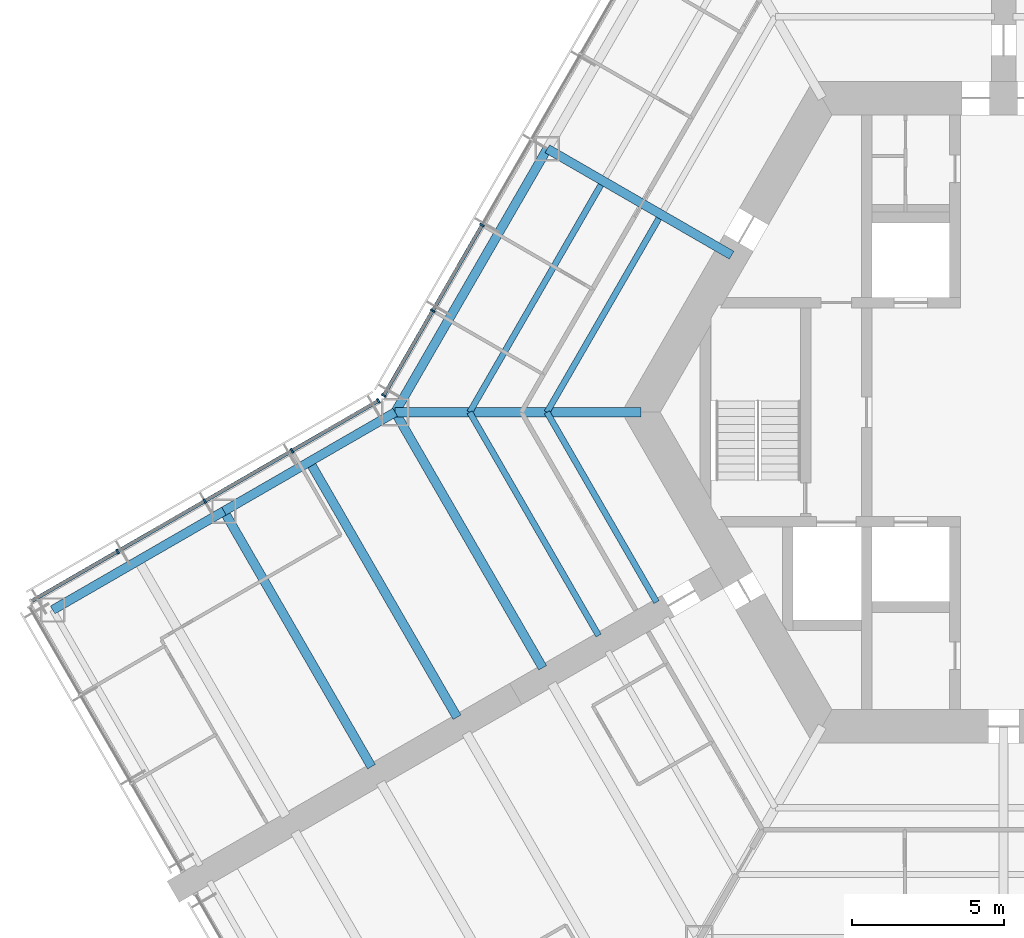
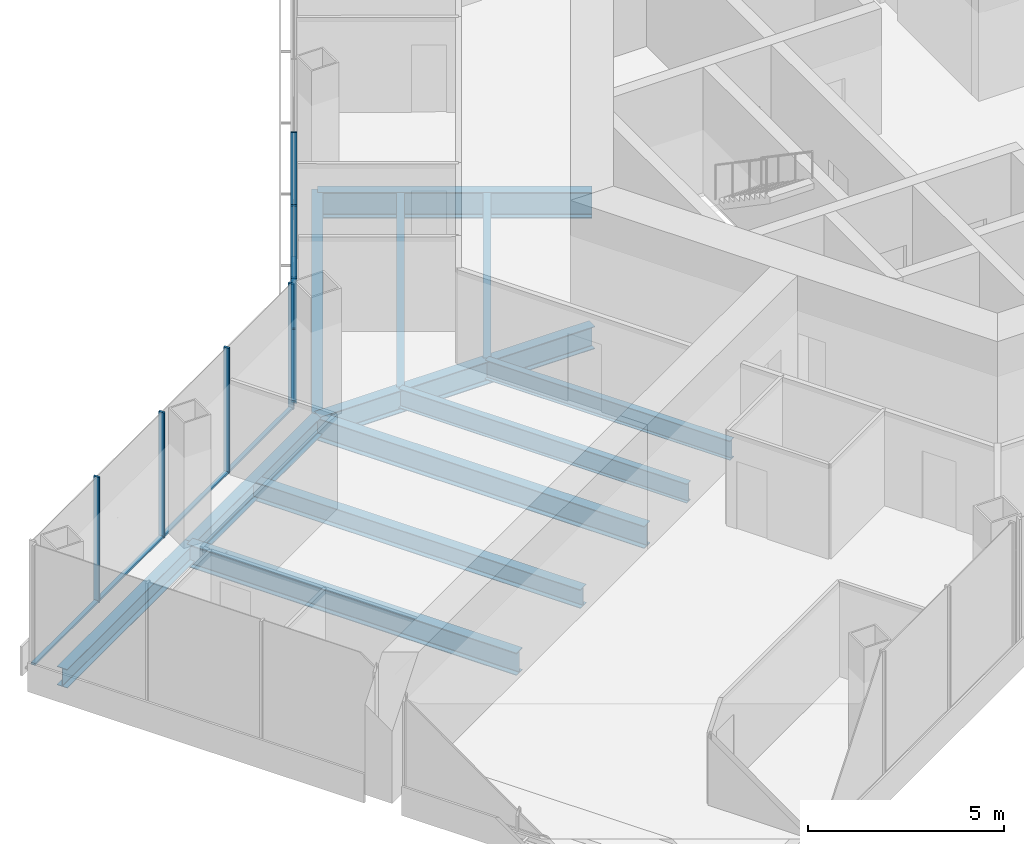
# One storey, part 4 of 19: 13 members, 12 beams, 2 elements without a shape of their own.
"""IFC4 building model written with IfcOpenShell, lengths in metres."""

from ifc_helpers import new_model, si_unit, direction, frame, origin, origin_2d, place, context, subcontext, project, spatial, rectangle, i_section, extrude, material, material_profile, profile_set, type_object, element, aggregate, save


model = new_model("IFC4")

# Units and contexts
model_context = context("Model", 3, precision=1e-05, world=origin(), true_north=direction((0.0, 1.0)))
body_context = subcontext(model_context, "Body", "Model", "MODEL_VIEW")
ifc_project = project(units=[si_unit("LENGTHUNIT", "METRE"), si_unit("AREAUNIT", "SQUARE_METRE"), si_unit("VOLUMEUNIT", "CUBIC_METRE"), si_unit("PLANEANGLEUNIT", "RADIAN"), si_unit("MASSUNIT", "GRAM", prefix="KILO")], contexts=[model_context])

# Site, building, storey
site_placement = place(None, origin())
site = spatial("IfcSite", under=ifc_project, at=site_placement, CompositionType="ELEMENT")
building_placement = place(site_placement, origin())
building = spatial("IfcBuilding", under=site, at=building_placement, Name="Kasaneha Research Tower", CompositionType="ELEMENT")
storey_placement = place(building_placement, frame((0.0, 0.0, 96.300048828125)))
storey = spatial("IfcBuildingStorey", under=building, at=storey_placement, Name="L24", CompositionType="ELEMENT", Elevation=96.300048828125)

# Beams
ifc_material_1 = material(Name="Steel SN490B", Category="steel")
ifc_material_profile_1 = material_profile(ifc_material_1, i_section(OverallWidth=0.199951171875, OverallDepth=0.60009765625, WebThickness=0.010986328125, FlangeThickness=0.01708984375, FilletRadius=0.012939453125, at=origin_2d()), Name="H-600x200x11x17")
ifc_profile_set_1 = profile_set([ifc_material_profile_1], Name="Steel SN490B")
beam_type_1 = type_object("IfcBeamType", Name="B1-3 secondary beam H-600x200x11x17", PredefinedType="JOIST", material=ifc_profile_set_1)
beam_1_placement = place(storey_placement, frame((-15.010986328125, 0.0, -0.449951171875), z_axis=(0.499994443168, 0.866028611999, 0.0), x_axis=(-0.866028611999, 0.499994443168, 0.0)))
element("IfcBeam", 1, at=beam_1_placement, inside=storey, type_object=beam_type_1, Name="Secondary beam RS150R1 L24", PredefinedType="JOIST", context=body_context, shape_type="SweptSolid", body=[
    extrude(i_section(OverallWidth=0.199951171875, OverallDepth=0.60009765625, WebThickness=0.010986328125, FlangeThickness=0.01708984375, FilletRadius=0.012939453125, at=origin_2d()), origin(), (0.0, 0.0, 1.0), 7.35546875),
])
beam_2_placement = place(storey_placement, frame((-17.551513671875, 0.0, -0.449951171875), z_axis=(0.5000050195, 0.866022505755, 0.0), x_axis=(-0.866022505755, 0.5000050195, 0.0)))
element("IfcBeam", 2, at=beam_2_placement, inside=storey, type_object=beam_type_1, Name="Secondary beam RS150R2 L24", PredefinedType="JOIST", context=body_context, shape_type="SweptSolid", body=[
    extrude(i_section(OverallWidth=0.199951171875, OverallDepth=0.60009765625, WebThickness=0.010986328125, FlangeThickness=0.01708984375, FilletRadius=0.012939453125, at=origin_2d()), origin(), (0.0, 0.0, 1.0), 8.6259765625),
])
beam_3_placement = place(storey_placement, frame((-15.010986328125, 0.0, -0.449951171875), z_axis=(0.499972735707, -0.866041144259, 0.0), x_axis=(0.866041144259, 0.499972735707, 0.0)))
element("IfcBeam", 3, at=beam_3_placement, inside=storey, type_object=beam_type_1, Name="Secondary beam RS210L1 L24", PredefinedType="JOIST", context=body_context, shape_type="SweptSolid", body=[
    extrude(i_section(OverallWidth=0.199951171875, OverallDepth=0.60009765625, WebThickness=0.010986328125, FlangeThickness=0.01708984375, FilletRadius=0.012939453125, at=origin_2d()), origin(), (0.0, 0.0, 1.0), 7.20556640625),
])
beam_4_placement = place(storey_placement, frame((-17.551513671875, 0.0, -0.449951171875), z_axis=(0.500020829043, -0.866013377797, 0.0), x_axis=(0.866013377797, 0.500020829043, 0.0)))
element("IfcBeam", 4, at=beam_4_placement, inside=storey, type_object=beam_type_1, Name="Secondary beam RS210L2 L24", PredefinedType="JOIST", context=body_context, shape_type="SweptSolid", body=[
    extrude(i_section(OverallWidth=0.199951171875, OverallDepth=0.60009765625, WebThickness=0.010986328125, FlangeThickness=0.01708984375, FilletRadius=0.012939453125, at=origin_2d()), origin(), (0.0, 0.0, 1.0), 8.475830078125),
])
ifc_material_2 = material(Name="Steel SN490B", Category="steel")
ifc_material_profile_2 = material_profile(ifc_material_2, i_section(OverallWidth=0.300048828125, OverallDepth=0.58203125, WebThickness=0.011962890625, FlangeThickness=0.01708984375, FilletRadius=0.012939453125, at=origin_2d()), Name="H-582x300x12x17")
ifc_profile_set_2 = profile_set([ifc_material_profile_2], Name="Steel SN490B")
beam_type_2 = type_object("IfcBeamType", Name="B2-3 secondary beam H-582x300x12x17", PredefinedType="JOIST", material=ifc_profile_set_2)
beam_5_placement = place(storey_placement, frame((-22.814697265625, -1.625, -0.441162109375), z_axis=(0.500010041276, -0.866019606374, 0.0), x_axis=(0.866019606374, 0.500010041276, 0.0)))
element("IfcBeam", 5, at=beam_5_placement, inside=storey, type_object=beam_type_2, Name="Secondary beam WBBP1 L24", PredefinedType="JOIST", context=body_context, shape_type="SweptSolid", body=[
    extrude(i_section(OverallWidth=0.300048828125, OverallDepth=0.58203125, WebThickness=0.011962890625, FlangeThickness=0.01708984375, FilletRadius=0.012939453125, at=origin_2d()), origin(), (0.0, 0.0, 1.0), 9.699951171875),
])

# Curtain wall, members
ifc_material_3 = material(Name="Glass and aluminium", Category="aluminium")
curtain_wall_type = type_object("IfcCurtainWallType", Name="Low-rise office curtain wall", PredefinedType="USERDEFINED", material=ifc_material_3)
curtain_wall_1_placement = place(storey_placement, origin())
curtain_wall_1 = element("IfcCurtainWall", 6, at=curtain_wall_1_placement, inside=storey, type_object=curtain_wall_type, Name="CW-O1 L24 run 12a", ObjectType="UNITISED CURTAIN WALL", PredefinedType="USERDEFINED")
ifc_material_4 = material(Name="Aluminium 6063-T6", Category="aluminium")
ifc_material_profile_3 = material_profile(ifc_material_4, rectangle(XDim=0.06005859375, YDim=0.159912109375, at=origin_2d()), Name="CW-O1 mullion 60x160")
ifc_profile_set_3 = profile_set([ifc_material_profile_3], Name="Aluminium 6063-T6")
member_type_1 = type_object("IfcMemberType", Name="CW-O1 mullion", PredefinedType="MULLION", material=ifc_profile_set_3)
member_1_placement = place(storey_placement, frame((-17.142822265625, 6.148681640625, 0.0), z_axis=(0.0, 0.0, 1.0), x_axis=(-0.49999996188, -0.866025425793, 0.0)))
member_1 = element("IfcMember", 7, at=member_1_placement, type_object=member_type_1, Name="CW-O1 mullion 5", PredefinedType="MULLION", context=body_context, shape_type="SweptSolid", body=[
    extrude(rectangle(XDim=0.06005859375, YDim=0.159912109375, at=origin_2d()), origin(), (0.0, 0.0, 1.0), 3.89990234375),
])
member_2_placement = place(storey_placement, frame((-18.76611328125, 3.33740234375, 0.0), z_axis=(0.0, 0.0, 1.0), x_axis=(-0.49999996188, -0.866025425793, 0.0)))
member_2 = element("IfcMember", 8, at=member_2_placement, type_object=member_type_1, Name="CW-O1 mullion 6", PredefinedType="MULLION", context=body_context, shape_type="SweptSolid", body=[
    extrude(rectangle(XDim=0.06005859375, YDim=0.159912109375, at=origin_2d()), origin(), (0.0, 0.0, 1.0), 3.89990234375),
])
member_3_placement = place(storey_placement, frame((-20.374267578125, 0.5517578125, 0.0), z_axis=(0.0, 0.0, 1.0), x_axis=(-0.49999996188, -0.866025425793, 0.0)))
member_3 = element("IfcMember", 9, at=member_3_placement, type_object=member_type_1, Name="CW-O1 mullion 7", PredefinedType="MULLION", context=body_context, shape_type="SweptSolid", body=[
    extrude(rectangle(XDim=0.06005859375, YDim=0.159912109375, at=origin_2d()), origin(), (0.0, 0.0, 1.0), 3.89990234375),
])

curtain_wall_2_placement = place(storey_placement, origin())
curtain_wall_2 = element("IfcCurtainWall", 10, at=curtain_wall_2_placement, inside=storey, type_object=curtain_wall_type, Name="CW-O1 L24 run 13a", ObjectType="UNITISED CURTAIN WALL", PredefinedType="USERDEFINED")
member_4_placement = place(storey_placement, frame((-20.5517578125, 0.374267578125, 0.0), z_axis=(0.0, 0.0, 1.0), x_axis=(-0.866025411464, -0.499999986699, 0.0)))
member_4 = element("IfcMember", 11, at=member_4_placement, type_object=member_type_1, Name="CW-O1 mullion 1", PredefinedType="MULLION", context=body_context, shape_type="SweptSolid", body=[
    extrude(rectangle(XDim=0.06005859375, YDim=0.159912109375, at=origin_2d()), origin(), (0.0, 0.0, 1.0), 3.89990234375),
])
member_5_placement = place(storey_placement, frame((-23.39208984375, -1.265625, 0.0), z_axis=(0.0, 0.0, 1.0), x_axis=(-0.866025411464, -0.499999986699, 0.0)))
member_5 = element("IfcMember", 12, at=member_5_placement, type_object=member_type_1, Name="CW-O1 mullion 2", PredefinedType="MULLION", context=body_context, shape_type="SweptSolid", body=[
    extrude(rectangle(XDim=0.06005859375, YDim=0.159912109375, at=origin_2d()), origin(), (0.0, 0.0, 1.0), 3.89990234375),
])
member_6_placement = place(storey_placement, frame((-26.258544921875, -2.920654296875, 0.0), z_axis=(0.0, 0.0, 1.0), x_axis=(-0.866025411464, -0.499999986699, 0.0)))
member_6 = element("IfcMember", 13, at=member_6_placement, type_object=member_type_1, Name="CW-O1 mullion 3", PredefinedType="MULLION", context=body_context, shape_type="SweptSolid", body=[
    extrude(rectangle(XDim=0.06005859375, YDim=0.159912109375, at=origin_2d()), origin(), (0.0, 0.0, 1.0), 3.89990234375),
])
member_7_placement = place(storey_placement, frame((-29.125, -4.575439453125, 0.0), z_axis=(0.0, 0.0, 1.0), x_axis=(-0.866025411464, -0.499999986699, 0.0)))
member_7 = element("IfcMember", 14, at=member_7_placement, type_object=member_type_1, Name="CW-O1 mullion 4", PredefinedType="MULLION", context=body_context, shape_type="SweptSolid", body=[
    extrude(rectangle(XDim=0.06005859375, YDim=0.159912109375, at=origin_2d()), origin(), (0.0, 0.0, 1.0), 3.89990234375),
])

# Member
ifc_material_5 = material(Name="Aluminium 6063-T6", Category="aluminium")
ifc_material_profile_4 = material_profile(ifc_material_5, rectangle(XDim=0.1201171875, YDim=0.06005859375, at=origin_2d()), Name="CW-O1 transom 120x60")
ifc_profile_set_4 = profile_set([ifc_material_profile_4], Name="Aluminium 6063-T6")
member_type_2 = type_object("IfcMemberType", Name="CW-O1 transom", PredefinedType="USERDEFINED", material=ifc_profile_set_4)
member_8_placement = place(storey_placement, frame((-17.15771484375, 6.122802734375, 0.030029296875), z_axis=(-0.500012062035, -0.866018439653, 0.0), x_axis=(0.866018439653, -0.500012062035, 0.0)))
member_8 = element("IfcMember", 15, at=member_8_placement, type_object=member_type_2, Name="CW-O1 transom 5", ObjectType="TRANSOM", PredefinedType="USERDEFINED", context=body_context, shape_type="SweptSolid", body=[
    extrude(rectangle(XDim=0.1201171875, YDim=0.06005859375, at=origin_2d()), origin(), (0.0, 0.0, 1.0), 3.1865234375),
])

member_9_placement = place(storey_placement, frame((-18.781005859375, 3.311279296875, 0.030029296875), z_axis=(-0.499999210213, -0.866025859768, 0.0), x_axis=(0.866025859768, -0.499999210213, 0.0)))
member_9 = element("IfcMember", 16, at=member_9_placement, type_object=member_type_2, Name="CW-O1 transom 6", ObjectType="TRANSOM", PredefinedType="USERDEFINED", context=body_context, shape_type="SweptSolid", body=[
    extrude(rectangle(XDim=0.1201171875, YDim=0.06005859375, at=origin_2d()), origin(), (0.0, 0.0, 1.0), 3.15625),
])

aggregate(curtain_wall_1, [member_1, member_2, member_3, member_8, member_9])

member_10_placement = place(storey_placement, frame((-20.577880859375, 0.359130859375, 0.030029296875), z_axis=(-0.866022692473, -0.500004696101, 0.0), x_axis=(0.500004696101, -0.866022692473, 0.0)))
member_10 = element("IfcMember", 17, at=member_10_placement, type_object=member_type_2, Name="CW-O1 transom 1", ObjectType="TRANSOM", PredefinedType="USERDEFINED", context=body_context, shape_type="SweptSolid", body=[
    extrude(rectangle(XDim=0.1201171875, YDim=0.06005859375, at=origin_2d()), origin(), (0.0, 0.0, 1.0), 3.2197265625),
])

member_11_placement = place(storey_placement, frame((-23.418212890625, -1.28076171875, 0.030029296875), z_axis=(-0.86604797581, -0.499960902066, 0.0), x_axis=(0.499960902066, -0.86604797581, 0.0)))
member_11 = element("IfcMember", 18, at=member_11_placement, type_object=member_type_2, Name="CW-O1 transom 2", ObjectType="TRANSOM", PredefinedType="USERDEFINED", context=body_context, shape_type="SweptSolid", body=[
    extrude(rectangle(XDim=0.1201171875, YDim=0.06005859375, at=origin_2d()), origin(), (0.0, 0.0, 1.0), 3.249755859375),
])

member_12_placement = place(storey_placement, frame((-26.28466796875, -2.935546875, 0.030029296875), z_axis=(-0.86599666273, -0.500049777664, 0.0), x_axis=(0.500049777664, -0.86599666273, 0.0)))
member_12 = element("IfcMember", 19, at=member_12_placement, type_object=member_type_2, Name="CW-O1 transom 3", ObjectType="TRANSOM", PredefinedType="USERDEFINED", context=body_context, shape_type="SweptSolid", body=[
    extrude(rectangle(XDim=0.1201171875, YDim=0.06005859375, at=origin_2d()), origin(), (0.0, 0.0, 1.0), 3.249755859375),
])

member_13_placement = place(storey_placement, frame((-29.15087890625, -4.590576171875, 0.030029296875), z_axis=(-0.866041647767, -0.499971863542, 0.0), x_axis=(0.499971863542, -0.866041647767, 0.0)))
member_13 = element("IfcMember", 20, at=member_13_placement, type_object=member_type_2, Name="CW-O1 transom 4", ObjectType="TRANSOM", PredefinedType="USERDEFINED", context=body_context, shape_type="SweptSolid", body=[
    extrude(rectangle(XDim=0.1201171875, YDim=0.06005859375, at=origin_2d()), origin(), (0.0, 0.0, 1.0), 3.219970703125),
])

aggregate(curtain_wall_2, [member_4, member_5, member_6, member_7, member_10, member_11, member_12, member_13])

# Beams
ifc_material_6 = material(Name="Steel SN490B", Category="steel")
ifc_material_profile_5 = material_profile(ifc_material_6, i_section(OverallWidth=0.300048828125, OverallDepth=0.699951171875, WebThickness=0.012939453125, FlangeThickness=0.02392578125, FilletRadius=0.01806640625, at=origin_2d()), Name="H-700x300x13x24")
ifc_profile_set_5 = profile_set([ifc_material_profile_5], Name="Steel SN490B")
beam_type_3 = type_object("IfcBeamType", Name="G1-3 radial girder H-700x300x13x24", PredefinedType="BEAM", material=ifc_profile_set_5)
beam_6_placement = place(storey_placement, frame((-11.92236328125, 0.0, -0.5), z_axis=(-1.0, 0.0, 0.0), x_axis=(0.0, -1.0, 0.0)))
element("IfcBeam", 21, at=beam_6_placement, inside=storey, type_object=beam_type_3, Name="Radial girder RV180 L24", PredefinedType="BEAM", context=body_context, shape_type="SweptSolid", body=[
    extrude(i_section(OverallWidth=0.300048828125, OverallDepth=0.699951171875, WebThickness=0.012939453125, FlangeThickness=0.02392578125, FilletRadius=0.01806640625, at=origin_2d()), origin(), (0.0, 0.0, 1.0), 8.07763671875),
])
ifc_material_7 = material(Name="Steel SN490B", Category="steel")
ifc_material_profile_6 = material_profile(ifc_material_7, i_section(OverallWidth=0.300048828125, OverallDepth=0.800048828125, WebThickness=0.013916015625, FlangeThickness=0.02587890625, FilletRadius=0.01806640625, at=origin_2d()), Name="H-800x300x14x26")
ifc_profile_set_6 = profile_set([ifc_material_profile_6], Name="Steel SN490B")
beam_type_4 = type_object("IfcBeamType", Name="G2-3 radial girder H-800x300x14x26", PredefinedType="BEAM", material=ifc_profile_set_6)
beam_7_placement = place(storey_placement, frame((-8.941650390625, 5.16259765625, -0.550048828125), z_axis=(-0.866039713508, 0.499975214012, 0.0), x_axis=(-0.499975214012, -0.866039713508, 0.0)))
element("IfcBeam", 22, at=beam_7_placement, inside=storey, type_object=beam_type_4, Name="Radial girder RM150 L24", PredefinedType="BEAM", context=body_context, shape_type="SweptSolid", body=[
    extrude(i_section(OverallWidth=0.300048828125, OverallDepth=0.800048828125, WebThickness=0.013916015625, FlangeThickness=0.02587890625, FilletRadius=0.01806640625, at=origin_2d()), origin(), (0.0, 0.0, 1.0), 6.995361328125),
])
ifc_material_8 = material(Name="Steel SN490B", Category="steel")
ifc_material_profile_7 = material_profile(ifc_material_8, i_section(OverallWidth=0.300048828125, OverallDepth=0.69189453125, WebThickness=0.012939453125, FlangeThickness=0.02001953125, FilletRadius=0.01806640625, at=origin_2d()), Name="H-692x300x13x20")
ifc_profile_set_7 = profile_set([ifc_material_profile_7], Name="Steel SN490B")
beam_type_5 = type_object("IfcBeamType", Name="G3-3 plate edge girder H-692x300x13x20", PredefinedType="BEAM", material=ifc_profile_set_7)
beam_8_placement = place(storey_placement, frame((-20.0, 0.0, -0.49609375), z_axis=(0.500010041276, -0.866019606374, 0.0), x_axis=(0.866019606374, 0.500010041276, 0.0)))
element("IfcBeam", 23, at=beam_8_placement, inside=storey, type_object=beam_type_5, Name="Plate edge girder PEBP L24", PredefinedType="BEAM", context=body_context, shape_type="SweptSolid", body=[
    extrude(i_section(OverallWidth=0.300048828125, OverallDepth=0.69189453125, WebThickness=0.012939453125, FlangeThickness=0.02001953125, FilletRadius=0.01806640625, at=origin_2d()), origin(), (0.0, 0.0, 1.0), 9.699951171875),
])
ifc_material_9 = material(Name="Steel SN490B", Category="steel")
ifc_material_profile_8 = material_profile(ifc_material_9, i_section(OverallWidth=0.300048828125, OverallDepth=0.699951171875, WebThickness=0.012939453125, FlangeThickness=0.02392578125, FilletRadius=0.01806640625, at=origin_2d()), Name="H-700x300x13x24")
ifc_profile_set_8 = profile_set([ifc_material_profile_8], Name="Steel SN490B")
beam_type_6 = type_object("IfcBeamType", Name="G4-3 wing girder H-700x300x13x24", PredefinedType="BEAM", material=ifc_profile_set_8)
beam_9_placement = place(storey_placement, frame((-25.629150390625, -3.25, -0.5), z_axis=(0.500010041276, -0.866019606374, 0.0), x_axis=(0.866019606374, 0.500010041276, 0.0)))
element("IfcBeam", 24, at=beam_9_placement, inside=storey, type_object=beam_type_6, Name="Wing girder WGBP L24", PredefinedType="BEAM", context=body_context, shape_type="SweptSolid", body=[
    extrude(i_section(OverallWidth=0.300048828125, OverallDepth=0.699951171875, WebThickness=0.012939453125, FlangeThickness=0.02392578125, FilletRadius=0.01806640625, at=origin_2d()), origin(), (0.0, 0.0, 1.0), 9.699951171875),
])
ifc_material_10 = material(Name="Steel SN490B", Category="steel")
ifc_material_profile_9 = material_profile(ifc_material_10, i_section(OverallWidth=0.300048828125, OverallDepth=0.69189453125, WebThickness=0.012939453125, FlangeThickness=0.02001953125, FilletRadius=0.01806640625, at=origin_2d()), Name="H-692x300x13x20")
ifc_profile_set_9 = profile_set([ifc_material_profile_9], Name="Steel SN490B")
beam_type_7 = type_object("IfcBeamType", Name="SB1-3 spandrel beam H-692x300x13x20", PredefinedType="SPANDREL", material=ifc_profile_set_9)
beam_10_placement = place(storey_placement, frame((-20.0, 0.0, -0.49609375), z_axis=(0.500004234368, 0.866022959057, 0.0), x_axis=(-0.866022959057, 0.500004234368, 0.0)))
element("IfcBeam", 25, at=beam_10_placement, inside=storey, type_object=beam_type_7, Name="Spandrel beam SR150R L24", PredefinedType="SPANDREL", context=body_context, shape_type="SweptSolid", body=[
    extrude(i_section(OverallWidth=0.300048828125, OverallDepth=0.69189453125, WebThickness=0.012939453125, FlangeThickness=0.02001953125, FilletRadius=0.01806640625, at=origin_2d()), origin(), (0.0, 0.0, 1.0), 10.0),
])
ifc_material_11 = material(Name="Steel SN490B", Category="steel")
ifc_material_profile_10 = material_profile(ifc_material_11, i_section(OverallWidth=0.300048828125, OverallDepth=0.58203125, WebThickness=0.011962890625, FlangeThickness=0.01708984375, FilletRadius=0.012939453125, at=origin_2d()), Name="H-582x300x12x17")
ifc_profile_set_10 = profile_set([ifc_material_profile_10], Name="Steel SN490B")
beam_type_8 = type_object("IfcBeamType", Name="SB2-3 spandrel beam H-582x300x12x17", PredefinedType="SPANDREL", material=ifc_profile_set_10)
for number, where, z_axis, x_axis, name in (
    (26, (-20.0, 0.0, -0.441162109375), (-0.866024837091, -0.50000098154, 0.0), (0.50000098154, -0.866024837091, 0.0), "Spandrel beam WSBP1 L24"),
    (27, (-25.629150390625, -3.25, -0.441162109375), (-0.866024837091, -0.50000098154, 0.0), (0.50000098154, -0.866024837091, 0.0), "Spandrel beam WSBP2 L24"),
):
    element("IfcBeam", number, at=place(storey_placement, frame(where, z_axis=z_axis, x_axis=x_axis)), inside=storey, type_object=beam_type_8, Name=name, PredefinedType="SPANDREL", context=body_context, shape_type="SweptSolid", body=[
        extrude(i_section(OverallWidth=0.300048828125, OverallDepth=0.58203125, WebThickness=0.011962890625, FlangeThickness=0.01708984375, FilletRadius=0.012939453125, at=origin_2d()), origin(), (0.0, 0.0, 1.0), 6.5),
    ])

save(model, "model.ifc")
